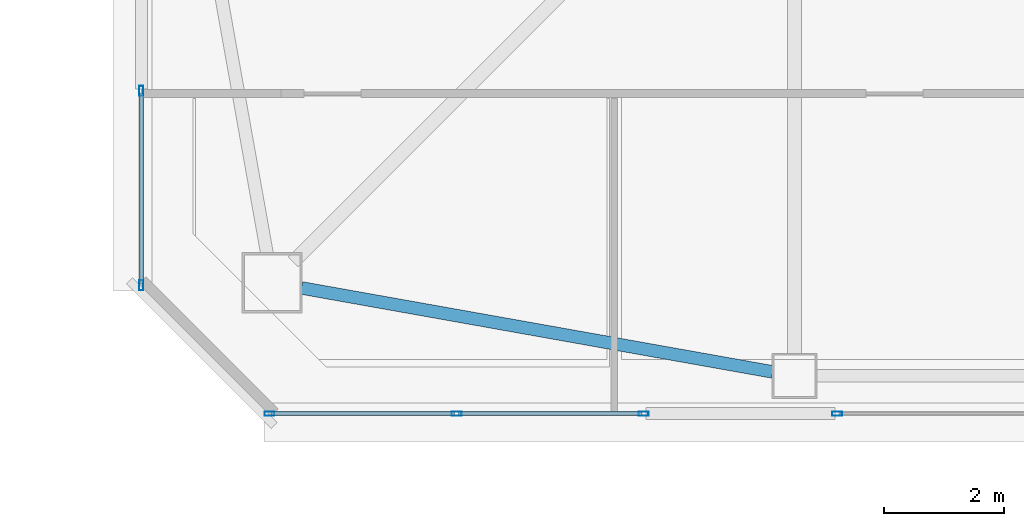
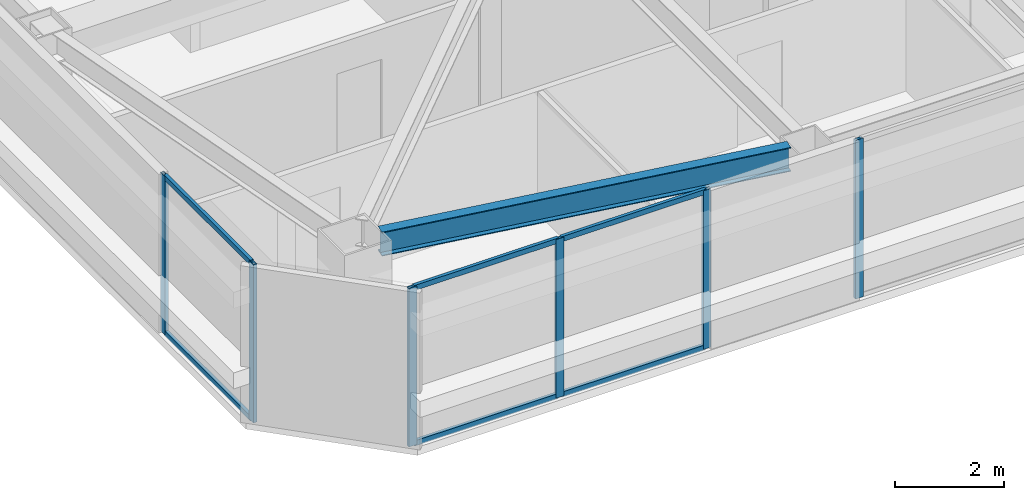
# One storey, part 3 of 39: 12 members, 1 beam, 3 elements without a shape of their own.
"""IFC4 building model written with IfcOpenShell, lengths in metres."""

from ifc_helpers import new_model, si_unit, direction, frame, origin, origin_2d, place, context, subcontext, project, spatial, hollow_rectangle, i_section, extrude, material, material_profile, profile_set, type_object, element, aggregate, save


model = new_model("IFC4")

# Units and contexts
model_context = context("Model", 3, precision=1e-05, world=origin(), true_north=direction((0.0, 1.0)))
body_context = subcontext(model_context, "Body", "Model", "MODEL_VIEW")
ifc_project = project(units=[si_unit("LENGTHUNIT", "METRE"), si_unit("AREAUNIT", "SQUARE_METRE"), si_unit("VOLUMEUNIT", "CUBIC_METRE"), si_unit("PLANEANGLEUNIT", "RADIAN"), si_unit("MASSUNIT", "GRAM", prefix="KILO")], contexts=[model_context])

# Site, building, storey
site_placement = place(None, origin())
site = spatial("IfcSite", under=ifc_project, at=site_placement, CompositionType="ELEMENT")
building_placement = place(site_placement, origin())
building = spatial("IfcBuilding", under=site, at=building_placement, Name="Tashvorn Skyway Center", CompositionType="ELEMENT")
storey_placement = place(building_placement, frame((0.0, 0.0, 214.85009765625)))
storey = spatial("IfcBuildingStorey", under=building, at=storey_placement, Name="L58", CompositionType="ELEMENT", Elevation=214.85009765625)

# Beam
ifc_material_1 = material(Name="Steel ASTM A992 Grade 50", Category="steel")
ifc_material_profile_1 = material_profile(ifc_material_1, i_section(OverallWidth=0.2109375, OverallDepth=0.5390625, WebThickness=0.01171875, FlangeThickness=0.018798828125, at=origin_2d()), Name="W21X73")
ifc_profile_set_1 = profile_set([ifc_material_profile_1], Name="Steel ASTM A992 Grade 50")
beam_type = type_object("IfcBeamType", Name="BM-SPANDREL-W21X73", PredefinedType="SPANDREL", material=ifc_profile_set_1)
beam_placement = place(storey_placement, frame((28.38720703125, 17.813232421875, 3.100341796875), z_axis=(0.984494883191, -0.17541329759, 0.0), x_axis=(0.17541329759, 0.984494883191, 0.0)))
element("IfcBeam", 1, at=beam_placement, inside=storey, type_object=beam_type, Name="Tower 1 L58 Spandrel Beam 01", PredefinedType="SPANDREL", context=body_context, shape_type="SweptSolid", body=[
    extrude(i_section(OverallWidth=0.2109375, OverallDepth=0.5390625, WebThickness=0.01171875, FlangeThickness=0.018798828125, at=origin_2d()), origin(), (0.0, 0.0, 1.0), 7.97216796875),
])

# Curtain wall, member
ifc_material_2 = material(Name="Thermally broken bronze-anodized aluminium 6063-T6", Category="aluminium")
curtain_wall_type = type_object("IfcCurtainWallType", Name="CW-CW-Z5", PredefinedType="NOTDEFINED", material=ifc_material_2)
curtain_wall_1_placement = place(storey_placement, origin())
curtain_wall_1 = element("IfcCurtainWall", 2, at=curtain_wall_1_placement, inside=storey, type_object=curtain_wall_type, Name="Tower 1 L58 South Unitised Curtain Wall Glazing Group 2", PredefinedType="NOTDEFINED")
ifc_material_profile_2 = material_profile(ifc_material_2, hollow_rectangle(XDim=0.070068359375, YDim=0.1650390625, WallThickness=0.00390625, at=origin_2d()), Name="ALU-MULL-70x165")
ifc_profile_set_2 = profile_set([ifc_material_profile_2], Name="Thermally broken bronze-anodized aluminium 6063-T6")
member_type_1 = type_object("IfcMemberType", Name="CWM-CW-Z5", PredefinedType="MULLION", material=ifc_profile_set_2)
member_1_placement = place(storey_placement, frame((37.308349609375, 15.719970703125, 0.0), z_axis=(0.0, 0.0, 1.0), x_axis=(0.0, -1.0, 0.0)))
member_1 = element("IfcMember", 3, at=member_1_placement, type_object=member_type_1, Name="CW-Z5 mullion 2", PredefinedType="MULLION", context=body_context, shape_type="SweptSolid", body=[
    extrude(hollow_rectangle(XDim=0.070068359375, YDim=0.1650390625, WallThickness=0.00390625, at=origin_2d()), origin(), (0.0, 0.0, 1.0), 3.5498046875),
])
aggregate(curtain_wall_1, [member_1])

# Curtain wall, members
curtain_wall_2_placement = place(storey_placement, origin())
curtain_wall_2 = element("IfcCurtainWall", 4, at=curtain_wall_2_placement, inside=storey, type_object=curtain_wall_type, Name="Tower 1 L58 South Unitised Curtain Wall Glazing Group 3", PredefinedType="NOTDEFINED")
member_2_placement = place(storey_placement, frame((34.087158203125, 15.719970703125, 0.0), z_axis=(0.0, 0.0, 1.0), x_axis=(0.0, -1.0, 0.0)))
member_2 = element("IfcMember", 5, at=member_2_placement, type_object=member_type_1, Name="CW-Z5 mullion 1", PredefinedType="MULLION", context=body_context, shape_type="SweptSolid", body=[
    extrude(hollow_rectangle(XDim=0.070068359375, YDim=0.1650390625, WallThickness=0.00390625, at=origin_2d()), origin(), (0.0, 0.0, 1.0), 3.5498046875),
])
member_3_placement = place(storey_placement, frame((30.97119140625, 15.719970703125, 0.0), z_axis=(0.0, 0.0, 1.0), x_axis=(0.0, -1.0, 0.0)))
member_3 = element("IfcMember", 6, at=member_3_placement, type_object=member_type_1, Name="CW-Z5 mullion 2", PredefinedType="MULLION", context=body_context, shape_type="SweptSolid", body=[
    extrude(hollow_rectangle(XDim=0.070068359375, YDim=0.1650390625, WallThickness=0.00390625, at=origin_2d()), origin(), (0.0, 0.0, 1.0), 3.5498046875),
])
member_4_placement = place(storey_placement, frame((27.85498046875, 15.719970703125, 0.0), z_axis=(0.0, 0.0, 1.0), x_axis=(0.0, -1.0, 0.0)))
member_4 = element("IfcMember", 7, at=member_4_placement, type_object=member_type_1, Name="CW-Z5 mullion 3", PredefinedType="MULLION", context=body_context, shape_type="SweptSolid", body=[
    extrude(hollow_rectangle(XDim=0.070068359375, YDim=0.1650390625, WallThickness=0.00390625, at=origin_2d()), origin(), (0.0, 0.0, 1.0), 3.5498046875),
])

curtain_wall_3_placement = place(storey_placement, origin())
curtain_wall_3 = element("IfcCurtainWall", 8, at=curtain_wall_3_placement, inside=storey, type_object=curtain_wall_type, Name="Tower 1 L58 West Curtain Wall L Glazing Group 1", PredefinedType="NOTDEFINED")
member_5_placement = place(storey_placement, frame((25.719970703125, 17.85498046875, 0.0), z_axis=(0.0, 0.0, 1.0), x_axis=(-1.0, 0.0, 0.0)))
member_5 = element("IfcMember", 9, at=member_5_placement, type_object=member_type_1, Name="CW-Z5 mullion 1", PredefinedType="MULLION", context=body_context, shape_type="SweptSolid", body=[
    extrude(hollow_rectangle(XDim=0.070068359375, YDim=0.1650390625, WallThickness=0.00390625, at=origin_2d()), origin(), (0.0, 0.0, 1.0), 3.5498046875),
])
member_6_placement = place(storey_placement, frame((25.719970703125, 21.094970703125, 0.0), z_axis=(0.0, 0.0, 1.0), x_axis=(-1.0, 0.0, 0.0)))
member_6 = element("IfcMember", 10, at=member_6_placement, type_object=member_type_1, Name="CW-Z5 mullion 2", PredefinedType="MULLION", context=body_context, shape_type="SweptSolid", body=[
    extrude(hollow_rectangle(XDim=0.070068359375, YDim=0.1650390625, WallThickness=0.00390625, at=origin_2d()), origin(), (0.0, 0.0, 1.0), 3.5498046875),
])

# Member
ifc_material_profile_3 = material_profile(ifc_material_2, hollow_rectangle(XDim=0.070068359375, YDim=0.114990234375, WallThickness=0.00390625, at=origin_2d()), Name="ALU-TRAN-70x115")
ifc_profile_set_3 = profile_set([ifc_material_profile_3], Name="Thermally broken bronze-anodized aluminium 6063-T6")
member_type_2 = type_object("IfcMemberType", Name="CWT-CW-Z5", PredefinedType="USERDEFINED", material=ifc_profile_set_3)
member_7_placement = place(storey_placement, frame((34.05224609375, 15.719970703125, 0.034912109375), z_axis=(-1.0, 0.0, 0.0), x_axis=(0.0, -1.0, 0.0)))
member_7 = element("IfcMember", 11, at=member_7_placement, type_object=member_type_2, Name="CW-Z5 transom 1.1", ObjectType="TRANSOM", PredefinedType="USERDEFINED", context=body_context, shape_type="SweptSolid", body=[
    extrude(hollow_rectangle(XDim=0.070068359375, YDim=0.114990234375, WallThickness=0.00390625, at=origin_2d()), origin(), (0.0, 0.0, 1.0), 3.046142578125),
])

member_8_placement = place(storey_placement, frame((34.05224609375, 15.719970703125, 3.514892578125), z_axis=(-1.0, 0.0, 0.0), x_axis=(0.0, -1.0, 0.0)))
member_8 = element("IfcMember", 12, at=member_8_placement, type_object=member_type_2, Name="CW-Z5 transom 1.2", ObjectType="TRANSOM", PredefinedType="USERDEFINED", context=body_context, shape_type="SweptSolid", body=[
    extrude(hollow_rectangle(XDim=0.070068359375, YDim=0.114990234375, WallThickness=0.00390625, at=origin_2d()), origin(), (0.0, 0.0, 1.0), 3.046142578125),
])

member_9_placement = place(storey_placement, frame((30.93603515625, 15.719970703125, 0.034912109375), z_axis=(-1.0, 0.0, 0.0), x_axis=(0.0, -1.0, 0.0)))
member_9 = element("IfcMember", 13, at=member_9_placement, type_object=member_type_2, Name="CW-Z5 transom 2.1", ObjectType="TRANSOM", PredefinedType="USERDEFINED", context=body_context, shape_type="SweptSolid", body=[
    extrude(hollow_rectangle(XDim=0.070068359375, YDim=0.114990234375, WallThickness=0.00390625, at=origin_2d()), origin(), (0.0, 0.0, 1.0), 3.046142578125),
])

member_10_placement = place(storey_placement, frame((30.93603515625, 15.719970703125, 3.514892578125), z_axis=(-1.0, 0.0, 0.0), x_axis=(0.0, -1.0, 0.0)))
member_10 = element("IfcMember", 14, at=member_10_placement, type_object=member_type_2, Name="CW-Z5 transom 2.2", ObjectType="TRANSOM", PredefinedType="USERDEFINED", context=body_context, shape_type="SweptSolid", body=[
    extrude(hollow_rectangle(XDim=0.070068359375, YDim=0.114990234375, WallThickness=0.00390625, at=origin_2d()), origin(), (0.0, 0.0, 1.0), 3.046142578125),
])

aggregate(curtain_wall_2, [member_2, member_3, member_4, member_7, member_8, member_9, member_10])

member_11_placement = place(storey_placement, frame((25.719970703125, 17.889892578125, 0.034912109375), z_axis=(0.0, 1.0, 0.0), x_axis=(-1.0, 0.0, 0.0)))
member_11 = element("IfcMember", 15, at=member_11_placement, type_object=member_type_2, Name="CW-Z5 transom 1.1", ObjectType="TRANSOM", PredefinedType="USERDEFINED", context=body_context, shape_type="SweptSolid", body=[
    extrude(hollow_rectangle(XDim=0.070068359375, YDim=0.114990234375, WallThickness=0.00390625, at=origin_2d()), origin(), (0.0, 0.0, 1.0), 3.170166015625),
])

member_12_placement = place(storey_placement, frame((25.719970703125, 17.889892578125, 3.514892578125), z_axis=(0.0, 1.0, 0.0), x_axis=(-1.0, 0.0, 0.0)))
member_12 = element("IfcMember", 16, at=member_12_placement, type_object=member_type_2, Name="CW-Z5 transom 1.2", ObjectType="TRANSOM", PredefinedType="USERDEFINED", context=body_context, shape_type="SweptSolid", body=[
    extrude(hollow_rectangle(XDim=0.070068359375, YDim=0.114990234375, WallThickness=0.00390625, at=origin_2d()), origin(), (0.0, 0.0, 1.0), 3.170166015625),
])

aggregate(curtain_wall_3, [member_5, member_6, member_11, member_12])

save(model, "model.ifc")
